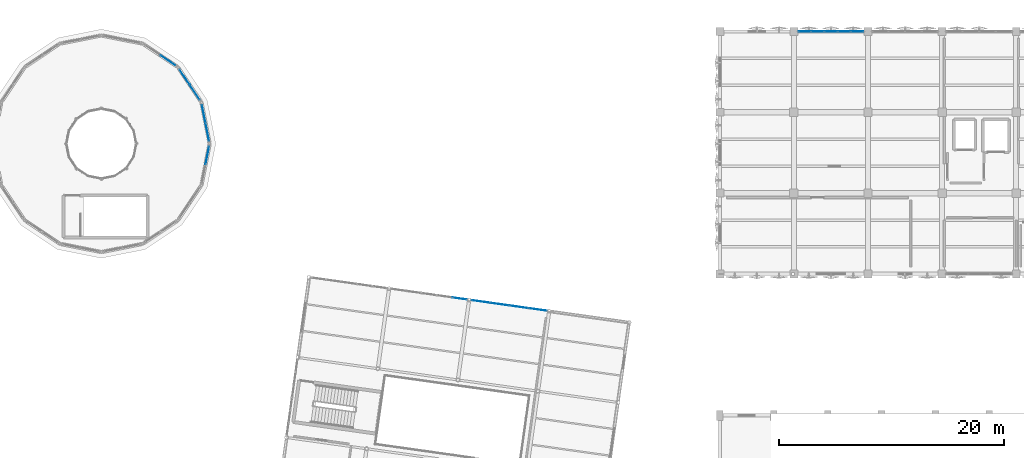
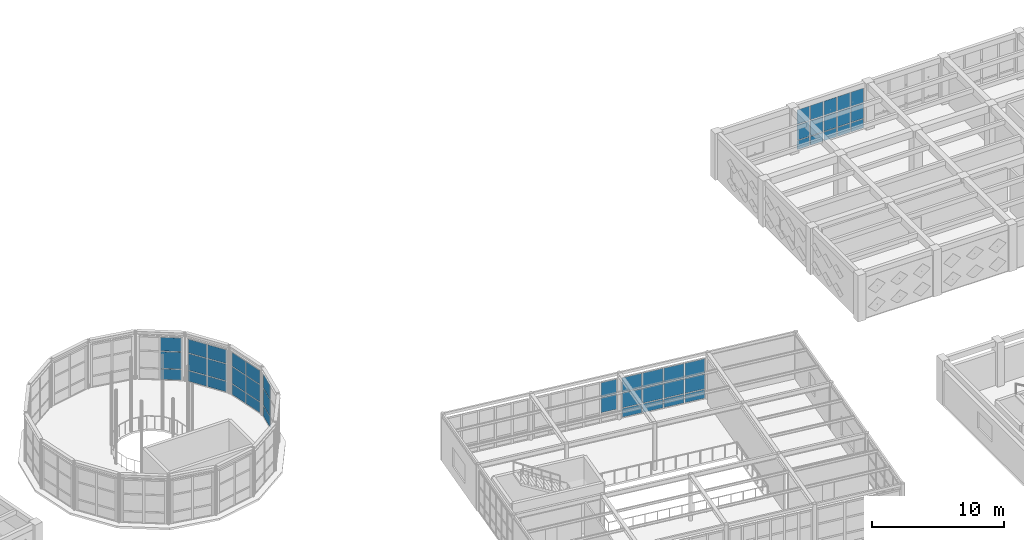
# One storey, part 57 of 80: 47 plates, 7 elements without a shape of their own.
"""IFC4 building model written with IfcOpenShell, lengths in metres."""

from ifc_helpers import new_model, si_unit, direction, frame, origin, origin_2d, place, context, subcontext, project, spatial, rectangle, extrude, material, layer, layer_set, type_object, element, aggregate, save


model = new_model("IFC4")

# Units and contexts
model_context = context("Model", 3, precision=1e-05, world=origin(), true_north=direction((0.0, 1.0)))
body_context = subcontext(model_context, "Body", "Model", "MODEL_VIEW")
ifc_project = project(units=[si_unit("LENGTHUNIT", "METRE"), si_unit("AREAUNIT", "SQUARE_METRE"), si_unit("VOLUMEUNIT", "CUBIC_METRE"), si_unit("PLANEANGLEUNIT", "RADIAN"), si_unit("MASSUNIT", "GRAM", prefix="KILO")], contexts=[model_context])

# Site, building, storey
site_placement = place(None, origin())
site = spatial("IfcSite", under=ifc_project, at=site_placement, CompositionType="ELEMENT")
building_placement = place(site_placement, origin())
building = spatial("IfcBuilding", under=site, at=building_placement, Name="Kharisveld Research Institute", CompositionType="ELEMENT")
storey_placement = place(building_placement, frame((0.0, 0.0, 5.10009765625)))
storey = spatial("IfcBuildingStorey", under=building, at=storey_placement, Name="L01", CompositionType="ELEMENT", Elevation=5.10009765625)

# Curtain wall, plates
ifc_material_1 = material(Name="Thermally Broken Aluminium Curtain Wall", Category="aluminium")
ifc_layer_1 = layer(ifc_material_1, 0.159912109375)
ifc_layer_set_1 = layer_set([ifc_layer_1], Name="CW_SYS_01")
curtain_wall_type_1 = type_object("IfcCurtainWallType", Name="CW_SYS_01", PredefinedType="NOTDEFINED", material=ifc_layer_set_1)
curtain_wall_1_placement = place(storey_placement, origin())
curtain_wall_1 = element("IfcCurtainWall", 1, at=curtain_wall_1_placement, inside=storey, type_object=curtain_wall_type_1, Name="CW:V2:L01:N1", PredefinedType="NOTDEFINED")
ifc_material_2 = material(Name="Low-E Double Glazing", Category="glass")
ifc_layer_2 = layer(ifc_material_2, 0.028076171875)
ifc_layer_set_2 = layer_set([ifc_layer_2], Name="CW_PNL_GLZ")
plate_type = type_object("IfcPlateType", Name="CW_PNL_GLZ", PredefinedType="CURTAIN_PANEL", material=ifc_layer_set_2)
plate_1_placement = place(storey_placement, frame((122.15234375, 60.800048828125, 0.059814453125), z_axis=(0.0, 0.0, 1.0), x_axis=(1.0, 0.0, 0.0)))
plate_1 = element("IfcPlate", 2, at=plate_1_placement, type_object=plate_type, Name="CW-01 panel 1.1", PredefinedType="CURTAIN_PANEL", context=body_context, shape_type="SweptSolid", body=[
    extrude(rectangle(XDim=1.08447265625, YDim=0.028076171875, at=origin_2d()), origin(), (0.0, 0.0, 1.0), 0.81005859375),
])
plate_2_placement = place(storey_placement, frame((122.15234375, 60.800048828125, 0.93017578125), z_axis=(0.0, 0.0, 1.0), x_axis=(1.0, 0.0, 0.0)))
plate_2 = element("IfcPlate", 3, at=plate_2_placement, type_object=plate_type, Name="CW-01 panel 1.2", PredefinedType="CURTAIN_PANEL", context=body_context, shape_type="SweptSolid", body=[
    extrude(rectangle(XDim=1.08447265625, YDim=0.028076171875, at=origin_2d()), origin(), (0.0, 0.0, 1.0), 1.389892578125),
])
plate_3_placement = place(storey_placement, frame((122.15234375, 60.800048828125, 2.3798828125), z_axis=(0.0, 0.0, 1.0), x_axis=(1.0, 0.0, 0.0)))
plate_3 = element("IfcPlate", 4, at=plate_3_placement, type_object=plate_type, Name="CW-01 panel 1.3", PredefinedType="CURTAIN_PANEL", context=body_context, shape_type="SweptSolid", body=[
    extrude(rectangle(XDim=1.08447265625, YDim=0.028076171875, at=origin_2d()), origin(), (0.0, 0.0, 1.0), 1.340087890625),
])
plate_4_placement = place(storey_placement, frame((123.318115234375, 60.800048828125, 0.059814453125), z_axis=(0.0, 0.0, 1.0), x_axis=(1.0, 0.0, 0.0)))
plate_4 = element("IfcPlate", 5, at=plate_4_placement, type_object=plate_type, Name="CW-01 panel 2.1", PredefinedType="CURTAIN_PANEL", context=body_context, shape_type="SweptSolid", body=[
    extrude(rectangle(XDim=1.116943359375, YDim=0.028076171875, at=origin_2d()), origin(), (0.0, 0.0, 1.0), 0.81005859375),
])
plate_5_placement = place(storey_placement, frame((123.318115234375, 60.800048828125, 0.93017578125), z_axis=(0.0, 0.0, 1.0), x_axis=(1.0, 0.0, 0.0)))
plate_5 = element("IfcPlate", 6, at=plate_5_placement, type_object=plate_type, Name="CW-01 panel 2.2", PredefinedType="CURTAIN_PANEL", context=body_context, shape_type="SweptSolid", body=[
    extrude(rectangle(XDim=1.116943359375, YDim=0.028076171875, at=origin_2d()), origin(), (0.0, 0.0, 1.0), 1.389892578125),
])
plate_6_placement = place(storey_placement, frame((123.318115234375, 60.800048828125, 2.3798828125), z_axis=(0.0, 0.0, 1.0), x_axis=(1.0, 0.0, 0.0)))
plate_6 = element("IfcPlate", 7, at=plate_6_placement, type_object=plate_type, Name="CW-01 panel 2.3", PredefinedType="CURTAIN_PANEL", context=body_context, shape_type="SweptSolid", body=[
    extrude(rectangle(XDim=1.116943359375, YDim=0.028076171875, at=origin_2d()), origin(), (0.0, 0.0, 1.0), 1.340087890625),
])
plate_7_placement = place(storey_placement, frame((124.5, 60.800048828125, 0.059814453125), z_axis=(0.0, 0.0, 1.0), x_axis=(1.0, 0.0, 0.0)))
plate_7 = element("IfcPlate", 8, at=plate_7_placement, type_object=plate_type, Name="CW-01 panel 3.1", PredefinedType="CURTAIN_PANEL", context=body_context, shape_type="SweptSolid", body=[
    extrude(rectangle(XDim=1.116943359375, YDim=0.028076171875, at=origin_2d()), origin(), (0.0, 0.0, 1.0), 0.81005859375),
])
plate_8_placement = place(storey_placement, frame((124.5, 60.800048828125, 0.93017578125), z_axis=(0.0, 0.0, 1.0), x_axis=(1.0, 0.0, 0.0)))
plate_8 = element("IfcPlate", 9, at=plate_8_placement, type_object=plate_type, Name="CW-01 panel 3.2", PredefinedType="CURTAIN_PANEL", context=body_context, shape_type="SweptSolid", body=[
    extrude(rectangle(XDim=1.116943359375, YDim=0.028076171875, at=origin_2d()), origin(), (0.0, 0.0, 1.0), 1.389892578125),
])
plate_9_placement = place(storey_placement, frame((124.5, 60.800048828125, 2.3798828125), z_axis=(0.0, 0.0, 1.0), x_axis=(1.0, 0.0, 0.0)))
plate_9 = element("IfcPlate", 10, at=plate_9_placement, type_object=plate_type, Name="CW-01 panel 3.3", PredefinedType="CURTAIN_PANEL", context=body_context, shape_type="SweptSolid", body=[
    extrude(rectangle(XDim=1.116943359375, YDim=0.028076171875, at=origin_2d()), origin(), (0.0, 0.0, 1.0), 1.340087890625),
])
plate_10_placement = place(storey_placement, frame((125.681884765625, 60.800048828125, 0.059814453125), z_axis=(0.0, 0.0, 1.0), x_axis=(1.0, 0.0, 0.0)))
plate_10 = element("IfcPlate", 11, at=plate_10_placement, type_object=plate_type, Name="CW-01 panel 4.1", PredefinedType="CURTAIN_PANEL", context=body_context, shape_type="SweptSolid", body=[
    extrude(rectangle(XDim=1.116943359375, YDim=0.028076171875, at=origin_2d()), origin(), (0.0, 0.0, 1.0), 0.81005859375),
])
plate_11_placement = place(storey_placement, frame((125.681884765625, 60.800048828125, 0.93017578125), z_axis=(0.0, 0.0, 1.0), x_axis=(1.0, 0.0, 0.0)))
plate_11 = element("IfcPlate", 12, at=plate_11_placement, type_object=plate_type, Name="CW-01 panel 4.2", PredefinedType="CURTAIN_PANEL", context=body_context, shape_type="SweptSolid", body=[
    extrude(rectangle(XDim=1.116943359375, YDim=0.028076171875, at=origin_2d()), origin(), (0.0, 0.0, 1.0), 1.389892578125),
])
plate_12_placement = place(storey_placement, frame((125.681884765625, 60.800048828125, 2.3798828125), z_axis=(0.0, 0.0, 1.0), x_axis=(1.0, 0.0, 0.0)))
plate_12 = element("IfcPlate", 13, at=plate_12_placement, type_object=plate_type, Name="CW-01 panel 4.3", PredefinedType="CURTAIN_PANEL", context=body_context, shape_type="SweptSolid", body=[
    extrude(rectangle(XDim=1.116943359375, YDim=0.028076171875, at=origin_2d()), origin(), (0.0, 0.0, 1.0), 1.340087890625),
])
plate_13_placement = place(storey_placement, frame((126.84765625, 60.800048828125, 0.059814453125), z_axis=(0.0, 0.0, 1.0), x_axis=(1.0, 0.0, 0.0)))
plate_13 = element("IfcPlate", 14, at=plate_13_placement, type_object=plate_type, Name="CW-01 panel 5.1", PredefinedType="CURTAIN_PANEL", context=body_context, shape_type="SweptSolid", body=[
    extrude(rectangle(XDim=1.08447265625, YDim=0.028076171875, at=origin_2d()), origin(), (0.0, 0.0, 1.0), 0.81005859375),
])
plate_14_placement = place(storey_placement, frame((126.84765625, 60.800048828125, 0.93017578125), z_axis=(0.0, 0.0, 1.0), x_axis=(1.0, 0.0, 0.0)))
plate_14 = element("IfcPlate", 15, at=plate_14_placement, type_object=plate_type, Name="CW-01 panel 5.2", PredefinedType="CURTAIN_PANEL", context=body_context, shape_type="SweptSolid", body=[
    extrude(rectangle(XDim=1.08447265625, YDim=0.028076171875, at=origin_2d()), origin(), (0.0, 0.0, 1.0), 1.389892578125),
])
plate_15_placement = place(storey_placement, frame((126.84765625, 60.800048828125, 2.3798828125), z_axis=(0.0, 0.0, 1.0), x_axis=(1.0, 0.0, 0.0)))
plate_15 = element("IfcPlate", 16, at=plate_15_placement, type_object=plate_type, Name="CW-01 panel 5.3", PredefinedType="CURTAIN_PANEL", context=body_context, shape_type="SweptSolid", body=[
    extrude(rectangle(XDim=1.08447265625, YDim=0.028076171875, at=origin_2d()), origin(), (0.0, 0.0, 1.0), 1.340087890625),
])
aggregate(curtain_wall_1, [plate_1, plate_2, plate_3, plate_4, plate_5, plate_6, plate_7, plate_8, plate_9, plate_10, plate_11, plate_12, plate_13, plate_14, plate_15])

ifc_material_3 = material(Name="Thermally Broken Aluminium Curtain Wall", Category="aluminium")
ifc_layer_3 = layer(ifc_material_3, 0.159912109375)
ifc_layer_set_3 = layer_set([ifc_layer_3], Name="CW_SYS_03")
curtain_wall_type_2 = type_object("IfcCurtainWallType", Name="CW_SYS_03", PredefinedType="NOTDEFINED", material=ifc_layer_set_3)
curtain_wall_2_placement = place(storey_placement, origin())
curtain_wall_2 = element("IfcCurtainWall", 17, at=curtain_wall_2_placement, inside=storey, type_object=curtain_wall_type_2, Name="CW:V4:L01:N1", PredefinedType="NOTDEFINED")
plate_16_placement = place(storey_placement, frame((91.411376953125, 37.005859375, 0.9326171875), z_axis=(0.0, 0.0, 1.0), x_axis=(0.990268068426, -0.139173103207, 0.0)))
plate_16 = element("IfcPlate", 18, at=plate_16_placement, type_object=plate_type, Name="CW-03 panel 5.2", PredefinedType="CURTAIN_PANEL", context=body_context, shape_type="SweptSolid", body=[
    extrude(rectangle(XDim=1.272216796875, YDim=0.028076171875, at=origin_2d()), origin(), (0.0, 0.0, 1.0), 1.385009765625),
])
plate_17_placement = place(storey_placement, frame((91.411376953125, 37.005859375, 2.38232421875), z_axis=(0.0, 0.0, 1.0), x_axis=(0.990268068426, -0.139173103207, 0.0)))
plate_17 = element("IfcPlate", 19, at=plate_17_placement, type_object=plate_type, Name="CW-03 panel 5.3", PredefinedType="CURTAIN_PANEL", context=body_context, shape_type="SweptSolid", body=[
    extrude(rectangle(XDim=1.272216796875, YDim=0.028076171875, at=origin_2d()), origin(), (0.0, 0.0, 1.0), 1.33251953125),
])
aggregate(curtain_wall_2, [plate_16, plate_17])

ifc_material_4 = material(Name="Thermally Broken Aluminium Curtain Wall", Category="aluminium")
ifc_layer_4 = layer(ifc_material_4, 0.159912109375)
ifc_layer_set_4 = layer_set([ifc_layer_4], Name="CW_SYS_04")
curtain_wall_type_3 = type_object("IfcCurtainWallType", Name="CW_SYS_04", PredefinedType="NOTDEFINED", material=ifc_layer_set_4)
curtain_wall_3_placement = place(storey_placement, origin())
curtain_wall_3 = element("IfcCurtainWall", 20, at=curtain_wall_3_placement, inside=storey, type_object=curtain_wall_type_3, Name="CW:V4:L01:N2", PredefinedType="NOTDEFINED")
plate_18_placement = place(storey_placement, frame((93.291259765625, 36.74169921875, 0.06494140625), z_axis=(0.0, 0.0, 1.0), x_axis=(0.990268048413, -0.139173245605, 0.0)))
plate_18 = element("IfcPlate", 21, at=plate_18_placement, type_object=plate_type, Name="CW-04 panel 1.1", PredefinedType="CURTAIN_PANEL", context=body_context, shape_type="SweptSolid", body=[
    extrude(rectangle(XDim=1.616455078125, YDim=0.028076171875, at=origin_2d()), origin(), (0.0, 0.0, 1.0), 0.802490234375),
])
plate_19_placement = place(storey_placement, frame((93.291259765625, 36.74169921875, 0.9326171875), z_axis=(0.0, 0.0, 1.0), x_axis=(0.990268048413, -0.139173245605, 0.0)))
plate_19 = element("IfcPlate", 22, at=plate_19_placement, type_object=plate_type, Name="CW-04 panel 1.2", PredefinedType="CURTAIN_PANEL", context=body_context, shape_type="SweptSolid", body=[
    extrude(rectangle(XDim=1.616455078125, YDim=0.028076171875, at=origin_2d()), origin(), (0.0, 0.0, 1.0), 1.385009765625),
])
plate_20_placement = place(storey_placement, frame((93.291259765625, 36.74169921875, 2.38232421875), z_axis=(0.0, 0.0, 1.0), x_axis=(0.990268048413, -0.139173245605, 0.0)))
plate_20 = element("IfcPlate", 23, at=plate_20_placement, type_object=plate_type, Name="CW-04 panel 1.3", PredefinedType="CURTAIN_PANEL", context=body_context, shape_type="SweptSolid", body=[
    extrude(rectangle(XDim=1.616455078125, YDim=0.028076171875, at=origin_2d()), origin(), (0.0, 0.0, 1.0), 1.33251953125),
])
plate_21_placement = place(storey_placement, frame((94.978515625, 36.50439453125, 0.06494140625), z_axis=(0.0, 0.0, 1.0), x_axis=(0.990268048413, -0.139173245605, 0.0)))
plate_21 = element("IfcPlate", 24, at=plate_21_placement, type_object=plate_type, Name="CW-04 panel 2.1", PredefinedType="CURTAIN_PANEL", context=body_context, shape_type="SweptSolid", body=[
    extrude(rectangle(XDim=1.651611328125, YDim=0.028076171875, at=origin_2d()), origin(), (0.0, 0.0, 1.0), 0.802490234375),
])
plate_22_placement = place(storey_placement, frame((94.978515625, 36.50439453125, 0.9326171875), z_axis=(0.0, 0.0, 1.0), x_axis=(0.990268048413, -0.139173245605, 0.0)))
plate_22 = element("IfcPlate", 25, at=plate_22_placement, type_object=plate_type, Name="CW-04 panel 2.2", PredefinedType="CURTAIN_PANEL", context=body_context, shape_type="SweptSolid", body=[
    extrude(rectangle(XDim=1.651611328125, YDim=0.028076171875, at=origin_2d()), origin(), (0.0, 0.0, 1.0), 1.385009765625),
])
plate_23_placement = place(storey_placement, frame((94.978515625, 36.50439453125, 2.38232421875), z_axis=(0.0, 0.0, 1.0), x_axis=(0.990268048413, -0.139173245605, 0.0)))
plate_23 = element("IfcPlate", 26, at=plate_23_placement, type_object=plate_type, Name="CW-04 panel 2.3", PredefinedType="CURTAIN_PANEL", context=body_context, shape_type="SweptSolid", body=[
    extrude(rectangle(XDim=1.651611328125, YDim=0.028076171875, at=origin_2d()), origin(), (0.0, 0.0, 1.0), 1.33251953125),
])
plate_24_placement = place(storey_placement, frame((96.683349609375, 36.264892578125, 0.06494140625), z_axis=(0.0, 0.0, 1.0), x_axis=(0.990268048413, -0.139173245605, 0.0)))
plate_24 = element("IfcPlate", 27, at=plate_24_placement, type_object=plate_type, Name="CW-04 panel 3.1", PredefinedType="CURTAIN_PANEL", context=body_context, shape_type="SweptSolid", body=[
    extrude(rectangle(XDim=1.651611328125, YDim=0.028076171875, at=origin_2d()), origin(), (0.0, 0.0, 1.0), 0.802490234375),
])
plate_25_placement = place(storey_placement, frame((96.683349609375, 36.264892578125, 0.9326171875), z_axis=(0.0, 0.0, 1.0), x_axis=(0.990268048413, -0.139173245605, 0.0)))
plate_25 = element("IfcPlate", 28, at=plate_25_placement, type_object=plate_type, Name="CW-04 panel 3.2", PredefinedType="CURTAIN_PANEL", context=body_context, shape_type="SweptSolid", body=[
    extrude(rectangle(XDim=1.651611328125, YDim=0.028076171875, at=origin_2d()), origin(), (0.0, 0.0, 1.0), 1.385009765625),
])
plate_26_placement = place(storey_placement, frame((96.683349609375, 36.264892578125, 2.38232421875), z_axis=(0.0, 0.0, 1.0), x_axis=(0.990268048413, -0.139173245605, 0.0)))
plate_26 = element("IfcPlate", 29, at=plate_26_placement, type_object=plate_type, Name="CW-04 panel 3.3", PredefinedType="CURTAIN_PANEL", context=body_context, shape_type="SweptSolid", body=[
    extrude(rectangle(XDim=1.651611328125, YDim=0.028076171875, at=origin_2d()), origin(), (0.0, 0.0, 1.0), 1.33251953125),
])
plate_27_placement = place(storey_placement, frame((98.370849609375, 36.02783203125, 0.06494140625), z_axis=(0.0, 0.0, 1.0), x_axis=(0.990268048413, -0.139173245605, 0.0)))
plate_27 = element("IfcPlate", 30, at=plate_27_placement, type_object=plate_type, Name="CW-04 panel 4.1", PredefinedType="CURTAIN_PANEL", context=body_context, shape_type="SweptSolid", body=[
    extrude(rectangle(XDim=1.616455078125, YDim=0.028076171875, at=origin_2d()), origin(), (0.0, 0.0, 1.0), 0.802490234375),
])
plate_28_placement = place(storey_placement, frame((98.370849609375, 36.02783203125, 0.9326171875), z_axis=(0.0, 0.0, 1.0), x_axis=(0.990268048413, -0.139173245605, 0.0)))
plate_28 = element("IfcPlate", 31, at=plate_28_placement, type_object=plate_type, Name="CW-04 panel 4.2", PredefinedType="CURTAIN_PANEL", context=body_context, shape_type="SweptSolid", body=[
    extrude(rectangle(XDim=1.616455078125, YDim=0.028076171875, at=origin_2d()), origin(), (0.0, 0.0, 1.0), 1.385009765625),
])
plate_29_placement = place(storey_placement, frame((98.370849609375, 36.02783203125, 2.38232421875), z_axis=(0.0, 0.0, 1.0), x_axis=(0.990268048413, -0.139173245605, 0.0)))
plate_29 = element("IfcPlate", 32, at=plate_29_placement, type_object=plate_type, Name="CW-04 panel 4.3", PredefinedType="CURTAIN_PANEL", context=body_context, shape_type="SweptSolid", body=[
    extrude(rectangle(XDim=1.616455078125, YDim=0.028076171875, at=origin_2d()), origin(), (0.0, 0.0, 1.0), 1.33251953125),
])
aggregate(curtain_wall_3, [plate_18, plate_19, plate_20, plate_21, plate_22, plate_23, plate_24, plate_25, plate_26, plate_27, plate_28, plate_29])

curtain_wall_4_placement = place(storey_placement, origin())
curtain_wall_4 = element("IfcCurtainWall", 33, at=curtain_wall_4_placement, inside=storey, type_object=curtain_wall_type_1, Name="CW:V6:L01:CHORD00", PredefinedType="NOTDEFINED")
plate_30_placement = place(storey_placement, frame((68.623291015625, 53.4482421875, 0.059814453125), z_axis=(0.0, 0.0, 1.0), x_axis=(0.195090730724, -0.980785199106, 0.0)))
plate_30 = element("IfcPlate", 34, at=plate_30_placement, type_object=plate_type, Name="CW-01 panel 1.1", PredefinedType="CURTAIN_PANEL", context=body_context, shape_type="SweptSolid", body=[
    extrude(rectangle(XDim=1.570068359375, YDim=0.028076171875, at=origin_2d()), origin(), (0.0, 0.0, 1.0), 0.9599609375),
])
plate_31_placement = place(storey_placement, frame((68.623291015625, 53.4482421875, 1.079833984375), z_axis=(0.0, 0.0, 1.0), x_axis=(0.195090730724, -0.980785199106, 0.0)))
plate_31 = element("IfcPlate", 35, at=plate_31_placement, type_object=plate_type, Name="CW-01 panel 1.2", PredefinedType="CURTAIN_PANEL", context=body_context, shape_type="SweptSolid", body=[
    extrude(rectangle(XDim=1.570068359375, YDim=0.028076171875, at=origin_2d()), origin(), (0.0, 0.0, 1.0), 1.5400390625),
])
plate_32_placement = place(storey_placement, frame((68.623291015625, 53.4482421875, 2.6796875), z_axis=(0.0, 0.0, 1.0), x_axis=(0.195090730724, -0.980785199106, 0.0)))
plate_32 = element("IfcPlate", 36, at=plate_32_placement, type_object=plate_type, Name="CW-01 panel 1.3", PredefinedType="CURTAIN_PANEL", context=body_context, shape_type="SweptSolid", body=[
    extrude(rectangle(XDim=1.570068359375, YDim=0.028076171875, at=origin_2d()), origin(), (0.0, 0.0, 1.0), 1.260009765625),
])
plate_33_placement = place(storey_placement, frame((68.942138671875, 51.844482421875, 0.059814453125), z_axis=(0.0, 0.0, 1.0), x_axis=(0.195090730724, -0.980785199106, 0.0)))
plate_33 = element("IfcPlate", 37, at=plate_33_placement, type_object=plate_type, Name="CW-01 panel 2.1", PredefinedType="CURTAIN_PANEL", context=body_context, shape_type="SweptSolid", body=[
    extrude(rectangle(XDim=1.570068359375, YDim=0.028076171875, at=origin_2d()), origin(), (0.0, 0.0, 1.0), 0.9599609375),
])
plate_34_placement = place(storey_placement, frame((68.942138671875, 51.844482421875, 1.079833984375), z_axis=(0.0, 0.0, 1.0), x_axis=(0.195090730724, -0.980785199106, 0.0)))
plate_34 = element("IfcPlate", 38, at=plate_34_placement, type_object=plate_type, Name="CW-01 panel 2.2", PredefinedType="CURTAIN_PANEL", context=body_context, shape_type="SweptSolid", body=[
    extrude(rectangle(XDim=1.570068359375, YDim=0.028076171875, at=origin_2d()), origin(), (0.0, 0.0, 1.0), 1.5400390625),
])
plate_35_placement = place(storey_placement, frame((68.942138671875, 51.844482421875, 2.6796875), z_axis=(0.0, 0.0, 1.0), x_axis=(0.195090730724, -0.980785199106, 0.0)))
plate_35 = element("IfcPlate", 39, at=plate_35_placement, type_object=plate_type, Name="CW-01 panel 2.3", PredefinedType="CURTAIN_PANEL", context=body_context, shape_type="SweptSolid", body=[
    extrude(rectangle(XDim=1.570068359375, YDim=0.028076171875, at=origin_2d()), origin(), (0.0, 0.0, 1.0), 1.260009765625),
])
aggregate(curtain_wall_4, [plate_30, plate_31, plate_32, plate_33, plate_34, plate_35])

ifc_material_5 = material(Name="Thermally Broken Aluminium Curtain Wall", Category="aluminium")
ifc_layer_5 = layer(ifc_material_5, 0.159912109375)
ifc_layer_set_5 = layer_set([ifc_layer_5], Name="CW_SYS_02")
curtain_wall_type_4 = type_object("IfcCurtainWallType", Name="CW_SYS_02", PredefinedType="NOTDEFINED", material=ifc_layer_set_5)
curtain_wall_5_placement = place(storey_placement, origin())
curtain_wall_5 = element("IfcCurtainWall", 40, at=curtain_wall_5_placement, inside=storey, type_object=curtain_wall_type_4, Name="CW:V6:L01:CHORD01", PredefinedType="NOTDEFINED")
plate_36_placement = place(storey_placement, frame((66.915283203125, 56.738037109375, 0.059814453125), z_axis=(0.0, 0.0, 1.0), x_axis=(0.555570109828, -0.831469694616, 0.0)))
plate_36 = element("IfcPlate", 41, at=plate_36_placement, type_object=plate_type, Name="CW-02 panel 1.1", PredefinedType="CURTAIN_PANEL", context=body_context, shape_type="SweptSolid", body=[
    extrude(rectangle(XDim=1.570068359375, YDim=0.028076171875, at=origin_2d()), origin(), (0.0, 0.0, 1.0), 0.9599609375),
])
plate_37_placement = place(storey_placement, frame((66.915283203125, 56.738037109375, 1.079833984375), z_axis=(0.0, 0.0, 1.0), x_axis=(0.555570109828, -0.831469694616, 0.0)))
plate_37 = element("IfcPlate", 42, at=plate_37_placement, type_object=plate_type, Name="CW-02 panel 1.2", PredefinedType="CURTAIN_PANEL", context=body_context, shape_type="SweptSolid", body=[
    extrude(rectangle(XDim=1.570068359375, YDim=0.028076171875, at=origin_2d()), origin(), (0.0, 0.0, 1.0), 1.5400390625),
])
plate_38_placement = place(storey_placement, frame((66.915283203125, 56.738037109375, 2.6796875), z_axis=(0.0, 0.0, 1.0), x_axis=(0.555570109828, -0.831469694616, 0.0)))
plate_38 = element("IfcPlate", 43, at=plate_38_placement, type_object=plate_type, Name="CW-02 panel 1.3", PredefinedType="CURTAIN_PANEL", context=body_context, shape_type="SweptSolid", body=[
    extrude(rectangle(XDim=1.570068359375, YDim=0.028076171875, at=origin_2d()), origin(), (0.0, 0.0, 1.0), 1.260009765625),
])
plate_39_placement = place(storey_placement, frame((67.82373046875, 55.37841796875, 0.059814453125), z_axis=(0.0, 0.0, 1.0), x_axis=(0.555570109828, -0.831469694616, 0.0)))
plate_39 = element("IfcPlate", 44, at=plate_39_placement, type_object=plate_type, Name="CW-02 panel 2.1", PredefinedType="CURTAIN_PANEL", context=body_context, shape_type="SweptSolid", body=[
    extrude(rectangle(XDim=1.570068359375, YDim=0.028076171875, at=origin_2d()), origin(), (0.0, 0.0, 1.0), 0.9599609375),
])
plate_40_placement = place(storey_placement, frame((67.82373046875, 55.37841796875, 1.079833984375), z_axis=(0.0, 0.0, 1.0), x_axis=(0.555570109828, -0.831469694616, 0.0)))
plate_40 = element("IfcPlate", 45, at=plate_40_placement, type_object=plate_type, Name="CW-02 panel 2.2", PredefinedType="CURTAIN_PANEL", context=body_context, shape_type="SweptSolid", body=[
    extrude(rectangle(XDim=1.570068359375, YDim=0.028076171875, at=origin_2d()), origin(), (0.0, 0.0, 1.0), 1.5400390625),
])
plate_41_placement = place(storey_placement, frame((67.82373046875, 55.37841796875, 2.6796875), z_axis=(0.0, 0.0, 1.0), x_axis=(0.555570109828, -0.831469694616, 0.0)))
plate_41 = element("IfcPlate", 46, at=plate_41_placement, type_object=plate_type, Name="CW-02 panel 2.3", PredefinedType="CURTAIN_PANEL", context=body_context, shape_type="SweptSolid", body=[
    extrude(rectangle(XDim=1.570068359375, YDim=0.028076171875, at=origin_2d()), origin(), (0.0, 0.0, 1.0), 1.260009765625),
])
aggregate(curtain_wall_5, [plate_36, plate_37, plate_38, plate_39, plate_40, plate_41])

curtain_wall_6_placement = place(storey_placement, origin())
curtain_wall_6 = element("IfcCurtainWall", 47, at=curtain_wall_6_placement, inside=storey, type_object=curtain_wall_type_2, Name="CW:V6:L01:CHORD02", PredefinedType="NOTDEFINED")
plate_42_placement = place(storey_placement, frame((65.43798828125, 58.21533203125, 0.059814453125), z_axis=(0.0, 0.0, 1.0), x_axis=(0.831469694616, -0.555570109828, 0.0)))
plate_42 = element("IfcPlate", 48, at=plate_42_placement, type_object=plate_type, Name="CW-03 panel 2.1", PredefinedType="CURTAIN_PANEL", context=body_context, shape_type="SweptSolid", body=[
    extrude(rectangle(XDim=1.570068359375, YDim=0.028076171875, at=origin_2d()), origin(), (0.0, 0.0, 1.0), 0.9599609375),
])
plate_43_placement = place(storey_placement, frame((65.43798828125, 58.21533203125, 1.079833984375), z_axis=(0.0, 0.0, 1.0), x_axis=(0.831469694616, -0.555570109828, 0.0)))
plate_43 = element("IfcPlate", 49, at=plate_43_placement, type_object=plate_type, Name="CW-03 panel 2.2", PredefinedType="CURTAIN_PANEL", context=body_context, shape_type="SweptSolid", body=[
    extrude(rectangle(XDim=1.570068359375, YDim=0.028076171875, at=origin_2d()), origin(), (0.0, 0.0, 1.0), 1.5400390625),
])
plate_44_placement = place(storey_placement, frame((65.43798828125, 58.21533203125, 2.6796875), z_axis=(0.0, 0.0, 1.0), x_axis=(0.831469694616, -0.555570109828, 0.0)))
plate_44 = element("IfcPlate", 50, at=plate_44_placement, type_object=plate_type, Name="CW-03 panel 2.3", PredefinedType="CURTAIN_PANEL", context=body_context, shape_type="SweptSolid", body=[
    extrude(rectangle(XDim=1.570068359375, YDim=0.028076171875, at=origin_2d()), origin(), (0.0, 0.0, 1.0), 1.260009765625),
])
aggregate(curtain_wall_6, [plate_42, plate_43, plate_44])

curtain_wall_7_placement = place(storey_placement, origin())
curtain_wall_7 = element("IfcCurtainWall", 51, at=curtain_wall_7_placement, inside=storey, type_object=curtain_wall_type_3, Name="CW:V6:L01:CHORD15", PredefinedType="NOTDEFINED")
plate_45_placement = place(storey_placement, frame((68.942138671875, 49.75537109375, 0.059814453125), z_axis=(0.0, 0.0, 1.0), x_axis=(-0.195090730724, -0.980785199106, 0.0)))
plate_45 = element("IfcPlate", 52, at=plate_45_placement, type_object=plate_type, Name="CW-04 panel 1.1", PredefinedType="CURTAIN_PANEL", context=body_context, shape_type="SweptSolid", body=[
    extrude(rectangle(XDim=1.570068359375, YDim=0.028076171875, at=origin_2d()), origin(), (0.0, 0.0, 1.0), 0.9599609375),
])
plate_46_placement = place(storey_placement, frame((68.942138671875, 49.75537109375, 1.079833984375), z_axis=(0.0, 0.0, 1.0), x_axis=(-0.195090730724, -0.980785199106, 0.0)))
plate_46 = element("IfcPlate", 53, at=plate_46_placement, type_object=plate_type, Name="CW-04 panel 1.2", PredefinedType="CURTAIN_PANEL", context=body_context, shape_type="SweptSolid", body=[
    extrude(rectangle(XDim=1.570068359375, YDim=0.028076171875, at=origin_2d()), origin(), (0.0, 0.0, 1.0), 1.5400390625),
])
plate_47_placement = place(storey_placement, frame((68.942138671875, 49.75537109375, 2.6796875), z_axis=(0.0, 0.0, 1.0), x_axis=(-0.195090730724, -0.980785199106, 0.0)))
plate_47 = element("IfcPlate", 54, at=plate_47_placement, type_object=plate_type, Name="CW-04 panel 1.3", PredefinedType="CURTAIN_PANEL", context=body_context, shape_type="SweptSolid", body=[
    extrude(rectangle(XDim=1.570068359375, YDim=0.028076171875, at=origin_2d()), origin(), (0.0, 0.0, 1.0), 1.260009765625),
])
aggregate(curtain_wall_7, [plate_45, plate_46, plate_47])

save(model, "model.ifc")
